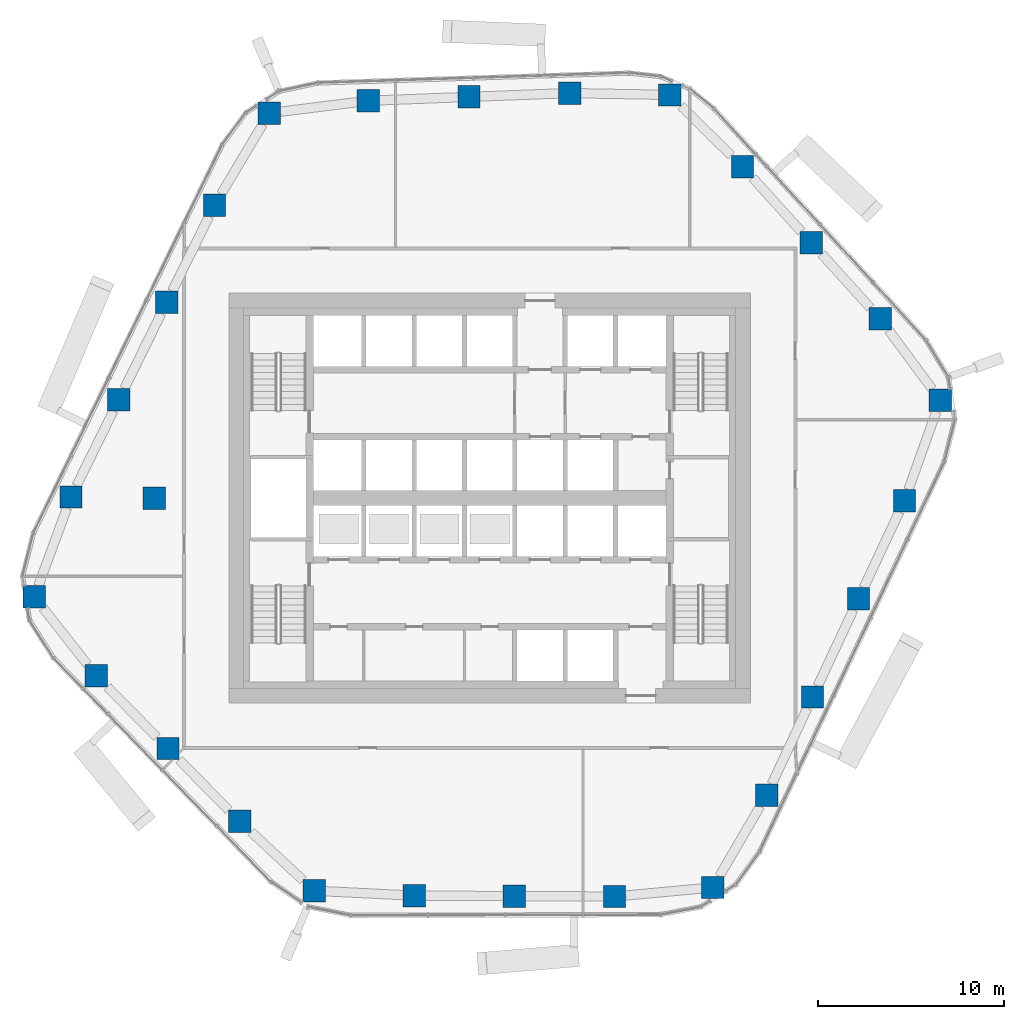
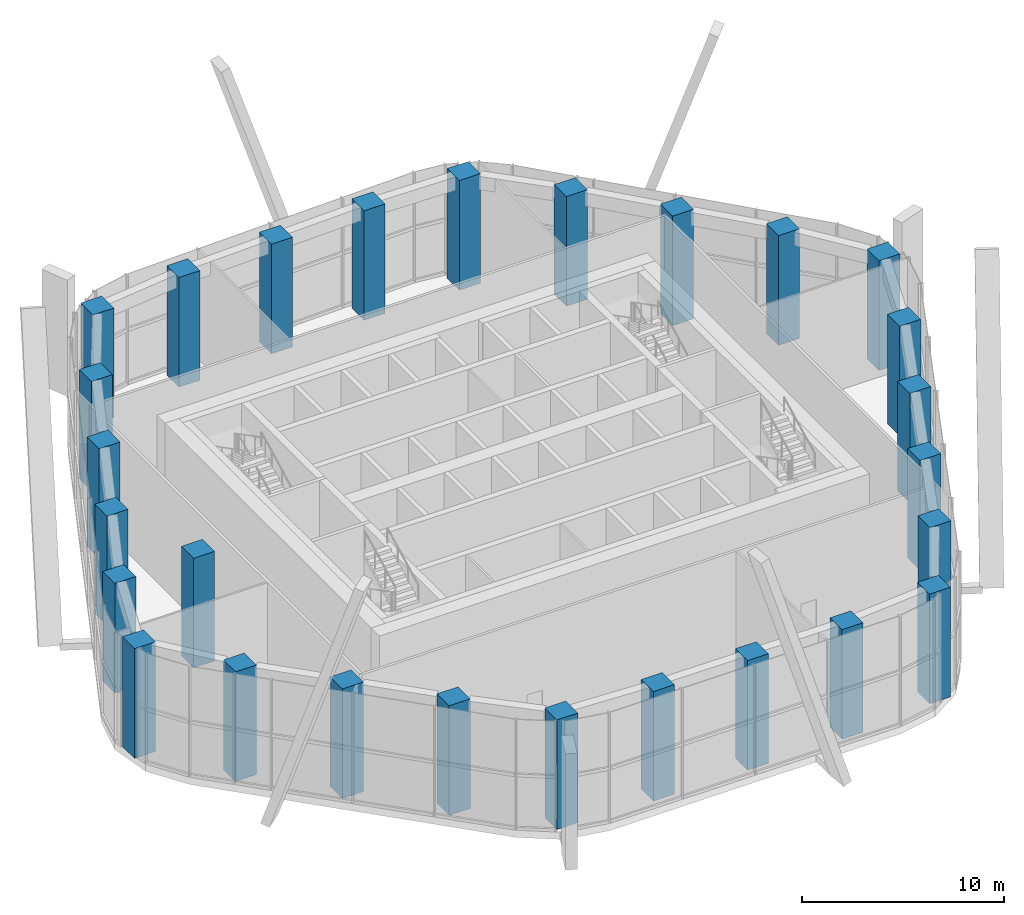
# One storey, part 1 of 20: 27 columns.
"""IFC4 building model written with IfcOpenShell, lengths in metres."""

from ifc_helpers import new_model, si_unit, direction, frame, origin, origin_2d, place, context, subcontext, project, spatial, rectangle, extrude, material, material_profile, profile_set, type_object, element, save


model = new_model("IFC4")

# Units and contexts
model_context = context("Model", 3, precision=1e-05, world=origin(), true_north=direction((0.0, 1.0)))
body_context = subcontext(model_context, "Body", "Model", "MODEL_VIEW")
ifc_project = project(units=[si_unit("LENGTHUNIT", "METRE"), si_unit("AREAUNIT", "SQUARE_METRE"), si_unit("VOLUMEUNIT", "CUBIC_METRE"), si_unit("PLANEANGLEUNIT", "RADIAN"), si_unit("MASSUNIT", "GRAM", prefix="KILO")], contexts=[model_context])

# Site, building, storey
site_placement = place(None, origin())
site = spatial("IfcSite", under=ifc_project, at=site_placement, CompositionType="ELEMENT")
building_placement = place(site_placement, origin())
building = spatial("IfcBuilding", under=site, at=building_placement, Name="Dongbaek Canopy Tower", CompositionType="ELEMENT")
storey_placement = place(building_placement, frame((0.0, 0.0, 151.60009765625)))
storey = spatial("IfcBuildingStorey", under=building, at=storey_placement, Name="L33", CompositionType="ELEMENT", Elevation=151.60009765625)

# Columns
ifc_material = material(Name="Concrete C70", Category="concrete")
ifc_material_profile = material_profile(ifc_material, rectangle(XDim=1.199951171875, YDim=1.199951171875, at=origin_2d()), Name="RC COLUMN 1200x1200 C70")
ifc_profile_set = profile_set([ifc_material_profile], Name="Concrete C70")
column_type = type_object("IfcColumnType", Name="RC COLUMN 1200x1200 C70", PredefinedType="COLUMN", material=ifc_profile_set)
for number, where, z_axis, x_axis, name in (
    (1, (11.971923828125, -20.885009765625, 0.0), (0.0, 0.0, 1.0), (1.0, 0.0, 0.0), "COL:CZ3-01:L33"),
    (2, (6.697998046875, -21.3720703125, 0.0), (0.0, 0.0, 1.0), (1.0, 0.0, 0.0), "COL:CZ3-02:L33"),
    (3, (1.321044921875, -21.347900390625, 0.0), (0.0, 0.0, 1.0), (1.0, 0.0, 0.0), "COL:CZ3-03:L33"),
    (4, (-4.054931640625, -21.323974609375, 0.0), (0.0, 0.0, 1.0), (1.0, 0.0, 0.0), "COL:CZ3-04:L33"),
    (5, (-9.407958984375, -21.06103515625, 0.0), (0.0, 0.0, 1.0), (1.0, 0.0, 0.0), "COL:CZ3-05:L33"),
    (6, (-13.409912109375, -17.339111328125, 0.0), (0.0, 0.0, 1.0), (1.0, 0.0, 0.0), "COL:CZ3-06:L33"),
    (7, (-17.258056640625, -13.431884765625, 0.0), (0.0, 0.0, 1.0), (1.0, 0.0, 0.0), "COL:CZ3-07:L33"),
    (8, (-21.10595703125, -9.52490234375, 0.0), (0.0, 0.0, 1.0), (1.0, 0.0, 0.0), "COL:CZ3-08:L33"),
    (9, (-24.43505859375, -5.2939453125, 0.0), (0.0, 0.0, 1.0), (1.0, 0.0, 0.0), "COL:CZ3-09:L33"),
    (10, (-22.4619140625, 0.06689453125, 0.0), (0.0, 0.0, 1.0), (1.0, 0.0, 0.0), "COL:CZ3-10:L33"),
    (11, (-19.89599609375, 5.287109375, 0.0), (0.0, 0.0, 1.0), (1.0, 0.0, 0.0), "COL:CZ3-11:L33"),
    (12, (-17.327880859375, 10.5048828125, 0.0), (0.0, 0.0, 1.0), (1.0, 0.0, 0.0), "COL:CZ3-12:L33"),
    (13, (-14.761962890625, 15.72412109375, 0.0), (0.0, 0.0, 1.0), (1.0, 0.0, 0.0), "COL:CZ3-13:L33"),
    (14, (-11.822998046875, 20.660888671875, 0.0), (0.0, 0.0, 1.0), (1.0, 0.0, 0.0), "COL:CZ3-14:L33"),
    (15, (-6.52197265625, 21.322998046875, 0.0), (0.0, 0.0, 1.0), (1.0, 0.0, 0.0), "COL:CZ3-15:L33"),
    (16, (-1.113037109375, 21.530029296875, 0.0), (0.0, 0.0, 1.0), (1.0, 0.0, 0.0), "COL:CZ3-16:L33"),
    (17, (4.294921875, 21.736083984375, 0.0), (0.0, 0.0, 1.0), (1.0, 0.0, 0.0), "COL:CZ3-17:L33"),
    (18, (9.666015625, 21.635009765625, 0.0), (0.0, 0.0, 1.0), (1.0, 0.0, 0.0), "COL:CZ3-18:L33"),
    (19, (13.56005859375, 17.7919921875, 0.0), (0.0, 0.0, 1.0), (1.0, 0.0, 0.0), "COL:CZ3-19:L33"),
    (20, (17.260986328125, 13.7060546875, 0.0), (0.0, 0.0, 1.0), (1.0, 0.0, 0.0), "COL:CZ3-20:L33"),
    (21, (20.9599609375, 9.62109375, 0.0), (0.0, 0.0, 1.0), (1.0, 0.0, 0.0), "COL:CZ3-21:L33"),
    (22, (24.179931640625, 5.257080078125, 0.0), (0.0, 0.0, 1.0), (1.0, 0.0, 0.0), "COL:CZ3-22:L33"),
    (23, (22.25390625, -0.134033203125, 0.0), (0.0, 0.0, 1.0), (1.0, 0.0, 0.0), "COL:CZ3-23:L33"),
    (24, (19.7880859375, -5.39892578125, 0.0), (0.0, 0.0, 1.0), (1.0, 0.0, 0.0), "COL:CZ3-24:L33"),
    (25, (17.322021484375, -10.666015625, 0.0), (0.0, 0.0, 1.0), (1.0, 0.0, 0.0), "COL:CZ3-25:L33"),
    (26, (14.85498046875, -15.931884765625, 0.0), (0.0, 0.0, 1.0), (1.0, 0.0, 0.0), "COL:CZ3-26:L33"),
    (27, (-18.0, 0.0, 0.0), (0.0, 0.0, 1.0), (1.0, 0.0, 0.0), "COL:CIZ3-01:L33"),
):
    element("IfcColumn", number, at=place(storey_placement, frame(where, z_axis=z_axis, x_axis=x_axis)), inside=storey, type_object=column_type, Name=name, PredefinedType="COLUMN", context=body_context, shape_type="SweptSolid", body=[
        extrude(rectangle(XDim=1.199951171875, YDim=1.199951171875, at=origin_2d()), origin(), (0.0, 0.0, 1.0), 6.619873046875),
    ])

save(model, "model.ifc")
